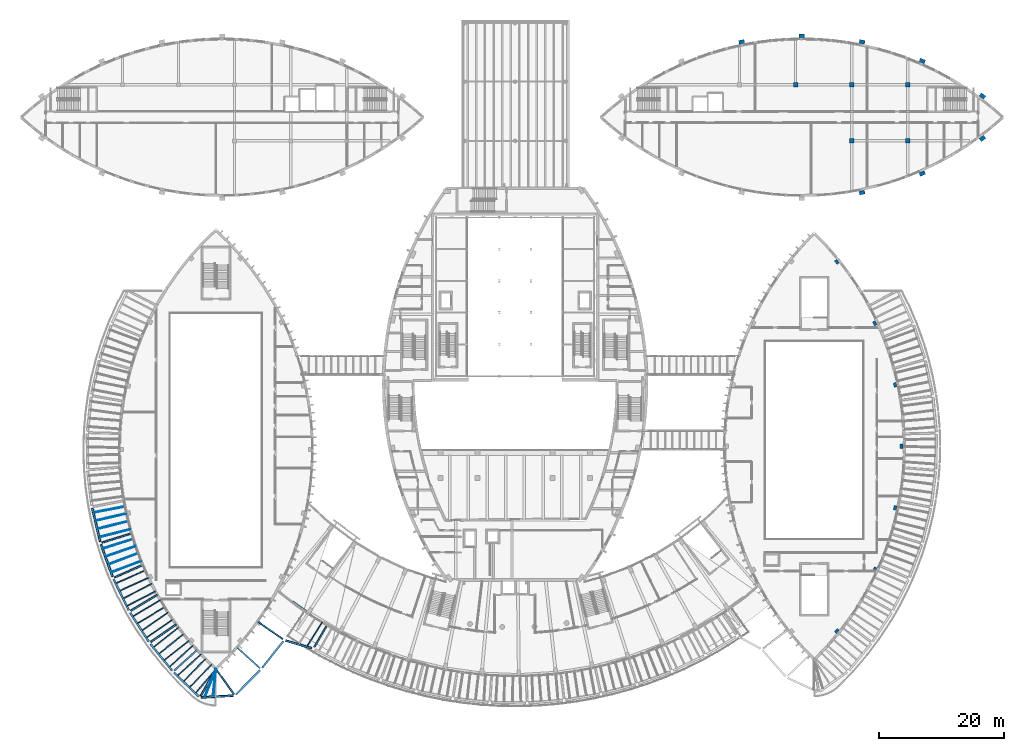
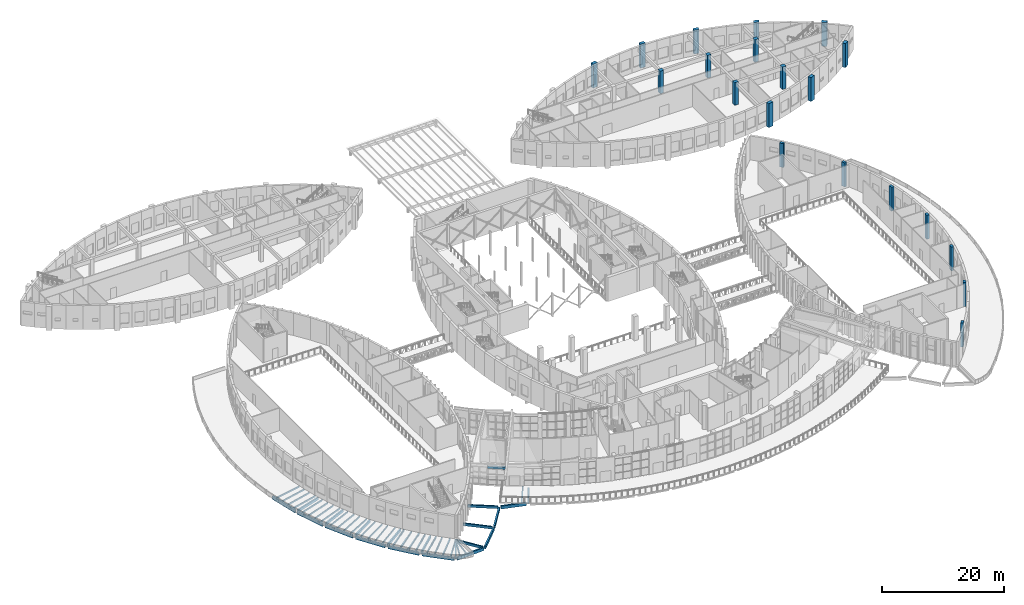
# One storey, part 7 of 93: 48 beams, 20 columns.
"""IFC4 building model written with IfcOpenShell, lengths in metres."""

from ifc_helpers import new_model, si_unit, direction, frame, origin, origin_2d, place, context, subcontext, project, spatial, rectangle, extrude, material, material_profile, profile_set, type_object, element, save


model = new_model("IFC4")

# Units and contexts
model_context = context("Model", 3, precision=1e-05, world=origin(), true_north=direction((0.0, 1.0)))
body_context = subcontext(model_context, "Body", "Model", "MODEL_VIEW")
ifc_project = project(units=[si_unit("LENGTHUNIT", "METRE"), si_unit("AREAUNIT", "SQUARE_METRE"), si_unit("VOLUMEUNIT", "CUBIC_METRE"), si_unit("PLANEANGLEUNIT", "RADIAN"), si_unit("MASSUNIT", "GRAM", prefix="KILO")], contexts=[model_context])

# Site, building, storey
site_placement = place(None, origin())
site = spatial("IfcSite", under=ifc_project, at=site_placement, CompositionType="ELEMENT")
building_placement = place(site_placement, origin())
building = spatial("IfcBuilding", under=site, at=building_placement, Name="Tide Square Theatres", CompositionType="ELEMENT")
storey_placement = place(building_placement, frame((0.0, 0.0, 5.39990234375)))
storey = spatial("IfcBuildingStorey", under=building, at=storey_placement, Name="L01", CompositionType="ELEMENT", Elevation=5.39990234375)

# Columns
ifc_material_1 = material(Name="Concrete C40", Category="concrete")
ifc_material_profile_1 = material_profile(ifc_material_1, rectangle(XDim=0.699951171875, YDim=0.699951171875, at=origin_2d()))
ifc_profile_set_1 = profile_set([ifc_material_profile_1], Name="Concrete C40")
column_type_1 = type_object("IfcColumnType", Name="RC column 700 x 700", PredefinedType="COLUMN", material=ifc_profile_set_1)
for number, where, z_axis, x_axis, name in (
    (1, (129.0, 103.0, 0.0), (0.0, 0.0, 1.0), (1.0, 0.0, 0.0), "Rehearsal Block frame column 2"),
    (2, (138.0, 94.0, 0.0), (0.0, 0.0, 1.0), (1.0, 0.0, 0.0), "Rehearsal Block frame column 3"),
    (3, (138.0, 103.0, 0.0), (0.0, 0.0, 1.0), (1.0, 0.0, 0.0), "Rehearsal Block frame column 4"),
    (4, (147.0, 94.0, 0.0), (0.0, 0.0, 1.0), (1.0, 0.0, 0.0), "Rehearsal Block frame column 5"),
    (5, (147.0, 103.0, 0.0), (0.0, 0.0, 1.0), (1.0, 0.0, 0.0), "Rehearsal Block frame column 6"),
):
    element("IfcColumn", number, at=place(storey_placement, frame(where, z_axis=z_axis, x_axis=x_axis)), inside=storey, type_object=column_type_1, Name=name, PredefinedType="COLUMN", context=body_context, shape_type="SweptSolid", body=[
        extrude(rectangle(XDim=0.699951171875, YDim=0.699951171875, at=origin_2d()), origin(), (0.0, 0.0, 1.0), 4.52001953125),
    ])
ifc_material_2 = material(Name="Concrete C40", Category="concrete")
ifc_material_profile_2 = material_profile(ifc_material_2, rectangle(XDim=0.699951171875, YDim=0.449951171875, at=origin_2d()))
ifc_profile_set_2 = profile_set([ifc_material_profile_2], Name="Concrete C40")
column_type_2 = type_object("IfcColumnType", Name="RC pier 700 x 450", PredefinedType="PILASTER", material=ifc_profile_set_2)
for number, where, z_axis, x_axis, name in (
    (6, (135.609375, 15.390869140625, 0.0), (0.0, 0.0, 1.0), (0.625818839057, 0.779968448517, 0.0), "Black Box Theatre wall pier"),
    (7, (141.694091796875, 25.261474609375, 0.0), (0.0, 0.0, 1.0), (0.419559661178, 0.907727762444, 0.0), "Black Box Theatre wall pier"),
    (8, (144.962646484375, 35.130615234375, 0.0), (0.0, 0.0, 1.0), (0.20956121082, 0.977795530221, 0.0), "Black Box Theatre wall pier"),
    (9, (146.001953125, 45.0, 0.0), (0.0, 0.0, 1.0), (0.0, 1.0, 0.0), "Black Box Theatre wall pier"),
    (10, (144.962646484375, 54.869384765625, 0.0), (0.0, 0.0, 1.0), (-0.20956121082, 0.977795530221, 0.0), "Black Box Theatre wall pier"),
    (11, (141.694091796875, 64.738525390625, 0.0), (0.0, 0.0, 1.0), (-0.419559661178, 0.907727762444, 0.0), "Black Box Theatre wall pier"),
    (12, (135.609375, 74.609130859375, 0.0), (0.0, 0.0, 1.0), (-0.625818839057, 0.779968448517, 0.0), "Black Box Theatre wall pier"),
):
    element("IfcColumn", number, at=place(storey_placement, frame(where, z_axis=z_axis, x_axis=x_axis)), inside=storey, type_object=column_type_2, Name=name, PredefinedType="PILASTER", context=body_context, shape_type="SweptSolid", body=[
        extrude(rectangle(XDim=0.699951171875, YDim=0.449951171875, at=origin_2d()), origin(), (0.0, 0.0, 1.0), 4.800048828125),
    ])
ifc_material_3 = material(Name="Concrete C40", Category="concrete")
ifc_material_profile_3 = material_profile(ifc_material_3, rectangle(XDim=0.89990234375, YDim=0.60009765625, at=origin_2d()))
ifc_profile_set_3 = profile_set([ifc_material_profile_3], Name="Concrete C40")
column_type_3 = type_object("IfcColumnType", Name="RC pier 900 x 600", PredefinedType="PILASTER", material=ifc_profile_set_3)
for number, where, z_axis, x_axis, name in (
    (13, (139.660400390625, 85.707275390625, 0.0), (0.0, 0.0, 1.0), (0.979575047818, 0.201078904144, 0.0), "Rehearsal Block rib pier 5"),
    (14, (149.321044921875, 88.76416015625, 0.0), (0.0, 0.0, 1.0), (0.915419314521, 0.402501526211, 0.0), "Rehearsal Block rib pier 6"),
    (15, (158.97900390625, 94.390625, 0.0), (0.0, 0.0, 1.0), (0.80192785119, 0.597420891403, 0.0), "Rehearsal Block rib pier 7"),
    (16, (120.339599609375, 109.892822265625, 0.0), (0.0, 0.0, 1.0), (-0.979575047818, -0.201078904144, 0.0), "Rehearsal Block rib pier 10"),
    (17, (130.0, 110.86865234375, 0.0), (0.0, 0.0, 1.0), (-1.0, 0.0, 0.0), "Rehearsal Block rib pier 11"),
    (18, (139.660400390625, 109.892822265625, 0.0), (0.0, 0.0, 1.0), (-0.979575047818, 0.201078904144, 0.0), "Rehearsal Block rib pier 12"),
    (19, (149.321044921875, 106.8359375, 0.0), (0.0, 0.0, 1.0), (-0.915419314521, 0.402501526211, 0.0), "Rehearsal Block rib pier 13"),
    (20, (158.97900390625, 101.20947265625, 0.0), (0.0, 0.0, 1.0), (-0.80192785119, 0.597420891403, 0.0), "Rehearsal Block rib pier 14"),
):
    element("IfcColumn", number, at=place(storey_placement, frame(where, z_axis=z_axis, x_axis=x_axis)), inside=storey, type_object=column_type_3, Name=name, PredefinedType="PILASTER", context=body_context, shape_type="SweptSolid", body=[
        extrude(rectangle(XDim=0.89990234375, YDim=0.60009765625, at=origin_2d()), origin(), (0.0, 0.0, 1.0), 4.800048828125),
    ])

# Beams
ifc_material_4 = material(Name="Concrete C35", Category="concrete")
ifc_material_profile_4 = material_profile(ifc_material_4, rectangle(XDim=0.14990234375, YDim=0.300048828125, at=origin_2d()))
ifc_profile_set_4 = profile_set([ifc_material_profile_4], Name="Concrete C35")
beam_type_1 = type_object("IfcBeamType", Name="RC arcade roof rib 150 x 300", PredefinedType="JOIST", material=ifc_profile_set_4)
beam_1_placement = place(storey_placement, frame((16.4892578125, 34.399658203125, -0.349853515625), z_axis=(0.98203319712, 0.188708239764, 0.0), x_axis=(-0.188708239764, 0.98203319712, 0.0)))
element("IfcBeam", 21, at=beam_1_placement, inside=storey, type_object=beam_type_1, Name="Arcade roof rib", PredefinedType="JOIST", context=body_context, shape_type="SweptSolid", body=[
    extrude(rectangle(XDim=0.14990234375, YDim=0.300048828125, at=origin_2d()), origin(), (0.0, 0.0, 1.0), 5.0107421875),
])
beam_2_placement = place(storey_placement, frame((16.79736328125, 33.091064453125, -0.349853515625), z_axis=(0.974207476829, 0.225654142642, 0.0), x_axis=(-0.225654142642, 0.974207476829, 0.0)))
element("IfcBeam", 22, at=beam_2_placement, inside=storey, type_object=beam_type_1, Name="Arcade roof rib", PredefinedType="JOIST", context=body_context, shape_type="SweptSolid", body=[
    extrude(rectangle(XDim=0.14990234375, YDim=0.300048828125, at=origin_2d()), origin(), (0.0, 0.0, 1.0), 4.95849609375),
])
beam_3_placement = place(storey_placement, frame((17.10595703125, 31.779541015625, -0.349853515625), z_axis=(0.970024080315, 0.24300881385, 0.0), x_axis=(-0.24300881385, 0.970024080315, 0.0)))
element("IfcBeam", 23, at=beam_3_placement, inside=storey, type_object=beam_type_1, Name="Arcade roof rib", PredefinedType="JOIST", context=body_context, shape_type="SweptSolid", body=[
    extrude(rectangle(XDim=0.14990234375, YDim=0.300048828125, at=origin_2d()), origin(), (0.0, 0.0, 1.0), 4.97705078125),
])
beam_4_placement = place(storey_placement, frame((17.415283203125, 30.46533203125, -0.349853515625), z_axis=(0.970015900928, 0.243041461375, 0.0), x_axis=(-0.243041461375, 0.970015900928, 0.0)))
element("IfcBeam", 24, at=beam_4_placement, inside=storey, type_object=beam_type_1, Name="Arcade roof rib", PredefinedType="JOIST", context=body_context, shape_type="SweptSolid", body=[
    extrude(rectangle(XDim=0.14990234375, YDim=0.300048828125, at=origin_2d()), origin(), (0.0, 0.0, 1.0), 4.99658203125),
])
beam_5_placement = place(storey_placement, frame((17.9560546875, 28.634765625, -0.349853515625), z_axis=(0.954583955173, 0.297942062366, 0.0), x_axis=(-0.297942062366, 0.954583955173, 0.0)))
element("IfcBeam", 25, at=beam_5_placement, inside=storey, type_object=beam_type_1, Name="Arcade roof rib", PredefinedType="JOIST", context=body_context, shape_type="SweptSolid", body=[
    extrude(rectangle(XDim=0.14990234375, YDim=0.300048828125, at=origin_2d()), origin(), (0.0, 0.0, 1.0), 5.0107421875),
])
beam_6_placement = place(storey_placement, frame((18.4091796875, 27.3671875, -0.349853515625), z_axis=(0.946730110853, 0.322028100024, 0.0), x_axis=(-0.322028100024, 0.946730110853, 0.0)))
element("IfcBeam", 26, at=beam_6_placement, inside=storey, type_object=beam_type_1, Name="Arcade roof rib", PredefinedType="JOIST", context=body_context, shape_type="SweptSolid", body=[
    extrude(rectangle(XDim=0.14990234375, YDim=0.300048828125, at=origin_2d()), origin(), (0.0, 0.0, 1.0), 4.95751953125),
])
beam_7_placement = place(storey_placement, frame((18.862060546875, 26.100341796875, -0.349853515625), z_axis=(0.936044612585, 0.351881348256, 0.0), x_axis=(-0.351881348256, 0.936044612585, 0.0)))
element("IfcBeam", 27, at=beam_7_placement, inside=storey, type_object=beam_type_1, Name="Arcade roof rib", PredefinedType="JOIST", context=body_context, shape_type="SweptSolid", body=[
    extrude(rectangle(XDim=0.14990234375, YDim=0.300048828125, at=origin_2d()), origin(), (0.0, 0.0, 1.0), 4.976806640625),
])
beam_8_placement = place(storey_placement, frame((19.31640625, 24.8291015625, -0.349853515625), z_axis=(0.936059950519, 0.351840544899, 0.0), x_axis=(-0.351840544899, 0.936059950519, 0.0)))
element("IfcBeam", 28, at=beam_8_placement, inside=storey, type_object=beam_type_1, Name="Arcade roof rib", PredefinedType="JOIST", context=body_context, shape_type="SweptSolid", body=[
    extrude(rectangle(XDim=0.14990234375, YDim=0.300048828125, at=origin_2d()), origin(), (0.0, 0.0, 1.0), 4.998779296875),
])
beam_9_placement = place(storey_placement, frame((20.058349609375, 23.069580078125, -0.349853515625), z_axis=(0.914464998443, 0.404665005435, 0.0), x_axis=(-0.404665005435, 0.914464998443, 0.0)))
element("IfcBeam", 29, at=beam_9_placement, inside=storey, type_object=beam_type_1, Name="Arcade roof rib", PredefinedType="JOIST", context=body_context, shape_type="SweptSolid", body=[
    extrude(rectangle(XDim=0.14990234375, YDim=0.300048828125, at=origin_2d()), origin(), (0.0, 0.0, 1.0), 5.013671875),
])
beam_10_placement = place(storey_placement, frame((20.650390625, 21.8583984375, -0.349853515625), z_axis=(0.909633855532, 0.415410939757, 0.0), x_axis=(-0.415410939757, 0.909633855532, 0.0)))
element("IfcBeam", 30, at=beam_10_placement, inside=storey, type_object=beam_type_1, Name="Arcade roof rib", PredefinedType="JOIST", context=body_context, shape_type="SweptSolid", body=[
    extrude(rectangle(XDim=0.14990234375, YDim=0.300048828125, at=origin_2d()), origin(), (0.0, 0.0, 1.0), 4.962646484375),
])
beam_11_placement = place(storey_placement, frame((21.239990234375, 20.652099609375, -0.349853515625), z_axis=(0.888254150545, 0.459352331049, 0.0), x_axis=(-0.459352331049, 0.888254150545, 0.0)))
element("IfcBeam", 31, at=beam_11_placement, inside=storey, type_object=beam_type_1, Name="Arcade roof rib", PredefinedType="JOIST", context=body_context, shape_type="SweptSolid", body=[
    extrude(rectangle(XDim=0.14990234375, YDim=0.300048828125, at=origin_2d()), origin(), (0.0, 0.0, 1.0), 4.987060546875),
])
beam_12_placement = place(storey_placement, frame((21.8330078125, 19.439453125, -0.349853515625), z_axis=(0.88827173098, 0.459318333993, 0.0), x_axis=(-0.459318333993, 0.88827173098, 0.0)))
element("IfcBeam", 32, at=beam_12_placement, inside=storey, type_object=beam_type_1, Name="Arcade roof rib", PredefinedType="JOIST", context=body_context, shape_type="SweptSolid", body=[
    extrude(rectangle(XDim=0.14990234375, YDim=0.300048828125, at=origin_2d()), origin(), (0.0, 0.0, 1.0), 5.01708984375),
])
beam_13_placement = place(storey_placement, frame((22.769287109375, 17.7763671875, -0.349853515625), z_axis=(0.856947633061, 0.515403486786, 0.0), x_axis=(-0.515403486786, 0.856947633061, 0.0)))
element("IfcBeam", 33, at=beam_13_placement, inside=storey, type_object=beam_type_1, Name="Arcade roof rib", PredefinedType="JOIST", context=body_context, shape_type="SweptSolid", body=[
    extrude(rectangle(XDim=0.14990234375, YDim=0.300048828125, at=origin_2d()), origin(), (0.0, 0.0, 1.0), 5.021484375),
])
beam_14_placement = place(storey_placement, frame((23.498779296875, 16.640380859375, -0.349853515625), z_axis=(0.856934639863, 0.515425089614, 0.0), x_axis=(-0.515425089614, 0.856934639863, 0.0)))
element("IfcBeam", 34, at=beam_14_placement, inside=storey, type_object=beam_type_1, Name="Arcade roof rib", PredefinedType="JOIST", context=body_context, shape_type="SweptSolid", body=[
    extrude(rectangle(XDim=0.14990234375, YDim=0.300048828125, at=origin_2d()), origin(), (0.0, 0.0, 1.0), 4.98193359375),
])
beam_15_placement = place(storey_placement, frame((24.223388671875, 15.5126953125, -0.349853515625), z_axis=(0.822078988464, 0.569373459801, 0.0), x_axis=(-0.569373459801, 0.822078988464, 0.0)))
element("IfcBeam", 35, at=beam_15_placement, inside=storey, type_object=beam_type_1, Name="Arcade roof rib", PredefinedType="JOIST", context=body_context, shape_type="SweptSolid", body=[
    extrude(rectangle(XDim=0.14990234375, YDim=0.300048828125, at=origin_2d()), origin(), (0.0, 0.0, 1.0), 4.9697265625),
])
beam_16_placement = place(storey_placement, frame((24.952880859375, 14.376953125, -0.349853515625), z_axis=(0.822088808643, 0.569359280862, 0.0), x_axis=(-0.569359280862, 0.822088808643, 0.0)))
element("IfcBeam", 36, at=beam_16_placement, inside=storey, type_object=beam_type_1, Name="Arcade roof rib", PredefinedType="JOIST", context=body_context, shape_type="SweptSolid", body=[
    extrude(rectangle(XDim=0.14990234375, YDim=0.300048828125, at=origin_2d()), origin(), (0.0, 0.0, 1.0), 5.0166015625),
])
beam_17_placement = place(storey_placement, frame((26.072509765625, 12.83203125, -0.349853515625), z_axis=(0.783816804802, 0.620992122744, 0.0), x_axis=(-0.620992122744, 0.783816804802, 0.0)))
element("IfcBeam", 37, at=beam_17_placement, inside=storey, type_object=beam_type_1, Name="Arcade roof rib", PredefinedType="JOIST", context=body_context, shape_type="SweptSolid", body=[
    extrude(rectangle(XDim=0.14990234375, YDim=0.300048828125, at=origin_2d()), origin(), (0.0, 0.0, 1.0), 4.99462890625),
])
beam_18_placement = place(storey_placement, frame((26.925048828125, 11.785400390625, -0.349853515625), z_axis=(0.783841842769, 0.620960518491, 0.0), x_axis=(-0.620960518491, 0.783841842769, 0.0)))
element("IfcBeam", 38, at=beam_18_placement, inside=storey, type_object=beam_type_1, Name="Arcade roof rib", PredefinedType="JOIST", context=body_context, shape_type="SweptSolid", body=[
    extrude(rectangle(XDim=0.14990234375, YDim=0.300048828125, at=origin_2d()), origin(), (0.0, 0.0, 1.0), 4.976318359375),
])
beam_19_placement = place(storey_placement, frame((27.777587890625, 10.738525390625, -0.349853515625), z_axis=(0.783824109477, 0.620982902665, 0.0), x_axis=(-0.620982902665, 0.783824109477, 0.0)))
element("IfcBeam", 39, at=beam_19_placement, inside=storey, type_object=beam_type_1, Name="Arcade roof rib", PredefinedType="JOIST", context=body_context, shape_type="SweptSolid", body=[
    extrude(rectangle(XDim=0.14990234375, YDim=0.300048828125, at=origin_2d()), origin(), (0.0, 0.0, 1.0), 4.9580078125),
])
beam_20_placement = place(storey_placement, frame((28.623779296875, 9.69921875, -0.349853515625), z_axis=(0.742054856606, 0.670339160267, 0.0), x_axis=(-0.670339160267, 0.742054856606, 0.0)))
element("IfcBeam", 40, at=beam_20_placement, inside=storey, type_object=beam_type_1, Name="Arcade roof rib", PredefinedType="JOIST", context=body_context, shape_type="SweptSolid", body=[
    extrude(rectangle(XDim=0.14990234375, YDim=0.300048828125, at=origin_2d()), origin(), (0.0, 0.0, 1.0), 5.0009765625),
])
beam_21_placement = place(storey_placement, frame((29.9189453125, 8.29248046875, -0.349853515625), z_axis=(0.742013801307, 0.670384605037, 0.0), x_axis=(-0.670384605037, 0.742013801307, 0.0)))
element("IfcBeam", 41, at=beam_21_placement, inside=storey, type_object=beam_type_1, Name="Arcade roof rib", PredefinedType="JOIST", context=body_context, shape_type="SweptSolid", body=[
    extrude(rectangle(XDim=0.14990234375, YDim=0.300048828125, at=origin_2d()), origin(), (0.0, 0.0, 1.0), 4.983154296875),
])
beam_22_placement = place(storey_placement, frame((30.88525390625, 7.364013671875, -0.349853515625), z_axis=(0.69679731371, 0.717268083499, 0.0), x_axis=(-0.717268083499, 0.69679731371, 0.0)))
element("IfcBeam", 42, at=beam_22_placement, inside=storey, type_object=beam_type_1, Name="Arcade roof rib", PredefinedType="JOIST", context=body_context, shape_type="SweptSolid", body=[
    extrude(rectangle(XDim=0.14990234375, YDim=0.300048828125, at=origin_2d()), origin(), (0.0, 0.0, 1.0), 4.9375),
])
beam_23_placement = place(storey_placement, frame((31.8583984375, 6.42822265625, -0.349853515625), z_axis=(0.696807520635, 0.717258167737, 0.0), x_axis=(-0.717258167737, 0.696807520635, 0.0)))
element("IfcBeam", 43, at=beam_23_placement, inside=storey, type_object=beam_type_1, Name="Arcade roof rib", PredefinedType="JOIST", context=body_context, shape_type="SweptSolid", body=[
    extrude(rectangle(XDim=0.14990234375, YDim=0.300048828125, at=origin_2d()), origin(), (0.0, 0.0, 1.0), 4.930419921875),
])
beam_24_placement = place(storey_placement, frame((32.82763671875, 5.49609375, -0.349853515625), z_axis=(0.642584167037, 0.766215105746, 0.0), x_axis=(-0.766215105746, 0.642584167037, 0.0)))
element("IfcBeam", 44, at=beam_24_placement, inside=storey, type_object=beam_type_1, Name="Arcade roof rib", PredefinedType="JOIST", context=body_context, shape_type="SweptSolid", body=[
    extrude(rectangle(XDim=0.14990234375, YDim=0.300048828125, at=origin_2d()), origin(), (0.0, 0.0, 1.0), 4.936767578125),
])
beam_25_placement = place(storey_placement, frame((34.260009765625, 4.903076171875, -0.349853515625), z_axis=(0.369503801817, 0.929229218461, 0.0), x_axis=(-0.929229218461, 0.369503801817, 0.0)))
element("IfcBeam", 45, at=beam_25_placement, inside=storey, type_object=beam_type_1, Name="Arcade roof rib", PredefinedType="JOIST", context=body_context, shape_type="SweptSolid", body=[
    extrude(rectangle(XDim=0.14990234375, YDim=0.300048828125, at=origin_2d()), origin(), (0.0, 0.0, 1.0), 4.708984375),
])
beam_26_placement = place(storey_placement, frame((35.565673828125, 4.98681640625, -0.349853515625), z_axis=(0.100680352004, 0.994918824186, 0.0), x_axis=(-0.994918824186, 0.100680352004, 0.0)))
element("IfcBeam", 46, at=beam_26_placement, inside=storey, type_object=beam_type_1, Name="Arcade roof rib", PredefinedType="JOIST", context=body_context, shape_type="SweptSolid", body=[
    extrude(rectangle(XDim=0.14990234375, YDim=0.300048828125, at=origin_2d()), origin(), (0.0, 0.0, 1.0), 4.31396484375),
])
beam_27_placement = place(storey_placement, frame((50.64892578125, 12.99462890625, -0.349853515625), z_axis=(0.535937438005, 0.844257699133, 0.0), x_axis=(-0.844257699133, 0.535937438005, 0.0)))
element("IfcBeam", 47, at=beam_27_placement, inside=storey, type_object=beam_type_1, Name="Arcade roof rib", PredefinedType="JOIST", context=body_context, shape_type="SweptSolid", body=[
    extrude(rectangle(XDim=0.14990234375, YDim=0.300048828125, at=origin_2d()), origin(), (0.0, 0.0, 1.0), 4.53173828125),
])
ifc_material_5 = material(Name="Concrete C35", Category="concrete")
ifc_material_profile_5 = material_profile(ifc_material_5, rectangle(XDim=0.25, YDim=0.5, at=origin_2d()))
ifc_profile_set_5 = profile_set([ifc_material_profile_5], Name="Concrete C35")
beam_type_2 = type_object("IfcBeamType", Name="RC beam 250 x 500", PredefinedType="BEAM", material=ifc_profile_set_5)
for number, where, z_axis, x_axis, name in (
    (48, (17.728271484375, 29.568603515625, -0.449951171875), (0.954579972734, 0.297954821499, 0.0), (-0.297954821499, 0.954579972734, 0.0), "Arcade slab beam"),
    (49, (19.727783203125, 23.973388671875, -0.449951171875), (0.914477432744, 0.404636905142, 0.0), (-0.404636905142, 0.914477432744, 0.0), "Arcade slab beam"),
    (50, (22.335693359375, 18.63623046875, -0.449951171875), (0.856948467282, 0.515402099747, 0.0), (-0.515402099747, 0.856948467282, 0.0), "Arcade slab beam"),
):
    element("IfcBeam", number, at=place(storey_placement, frame(where, z_axis=z_axis, x_axis=x_axis)), inside=storey, type_object=beam_type_2, Name=name, PredefinedType="BEAM", context=body_context, shape_type="SweptSolid", body=[
        extrude(rectangle(XDim=0.25, YDim=0.5, at=origin_2d()), origin(), (0.0, 0.0, 1.0), 4.949951171875),
    ])
beam_28_placement = place(storey_placement, frame((25.55419921875, 13.62548828125, -0.449951171875), z_axis=(0.822101631202, 0.569340766128, 0.0), x_axis=(-0.569340766128, 0.822101631202, 0.0)))
element("IfcBeam", 51, at=beam_28_placement, inside=storey, type_object=beam_type_2, Name="Arcade slab beam", PredefinedType="BEAM", context=body_context, shape_type="SweptSolid", body=[
    extrude(rectangle(XDim=0.25, YDim=0.5, at=origin_2d()), origin(), (0.0, 0.0, 1.0), 4.9501953125),
])
beam_29_placement = place(storey_placement, frame((29.30419921875, 9.02197265625, -0.449951171875), z_axis=(0.74202983029, 0.670366862964, 0.0), x_axis=(-0.670366862964, 0.74202983029, 0.0)))
element("IfcBeam", 52, at=beam_29_placement, inside=storey, type_object=beam_type_2, Name="Arcade slab beam", PredefinedType="BEAM", context=body_context, shape_type="SweptSolid", body=[
    extrude(rectangle(XDim=0.25, YDim=0.5, at=origin_2d()), origin(), (0.0, 0.0, 1.0), 4.949951171875),
])
beam_30_placement = place(storey_placement, frame((33.5390625, 4.940185546875, -0.449951171875), z_axis=(0.493374374759, 0.869817064865, 0.0), x_axis=(-0.869817064865, 0.493374374759, 0.0)))
element("IfcBeam", 53, at=beam_30_placement, inside=storey, type_object=beam_type_2, Name="Arcade slab beam", PredefinedType="BEAM", context=body_context, shape_type="SweptSolid", body=[
    extrude(rectangle(XDim=0.25, YDim=0.5, at=origin_2d()), origin(), (0.0, 0.0, 1.0), 4.988037109375),
])
beam_31_placement = place(storey_placement, frame((38.88623046875, 5.22900390625, -0.449951171875), z_axis=(-0.580374099811, 0.814349988806, 0.0), x_axis=(-0.814349988806, -0.580374099811, 0.0)))
element("IfcBeam", 54, at=beam_31_placement, inside=storey, type_object=beam_type_2, Name="Arcade slab beam", PredefinedType="BEAM", context=body_context, shape_type="SweptSolid", body=[
    extrude(rectangle(XDim=0.25, YDim=0.5, at=origin_2d()), origin(), (0.0, 0.0, 1.0), 4.97314453125),
])
beam_32_placement = place(storey_placement, frame((43.057861328125, 9.423095703125, -0.449951171875), z_axis=(-0.74203219984, 0.670364240097, 0.0), x_axis=(-0.670364240097, -0.74203219984, 0.0)))
element("IfcBeam", 55, at=beam_32_placement, inside=storey, type_object=beam_type_2, Name="Arcade slab beam", PredefinedType="BEAM", context=body_context, shape_type="SweptSolid", body=[
    extrude(rectangle(XDim=0.25, YDim=0.5, at=origin_2d()), origin(), (0.0, 0.0, 1.0), 4.94970703125),
])
beam_33_placement = place(storey_placement, frame((46.75341796875, 14.06982421875, -0.449951171875), z_axis=(-0.822085643467, 0.569363850983, 0.0), x_axis=(-0.569363850983, -0.822085643467, 0.0)))
element("IfcBeam", 56, at=beam_33_placement, inside=storey, type_object=beam_type_2, Name="Arcade slab beam", PredefinedType="BEAM", context=body_context, shape_type="SweptSolid", body=[
    extrude(rectangle(XDim=0.25, YDim=0.5, at=origin_2d()), origin(), (0.0, 0.0, 1.0), 4.949951171875),
])
beam_34_placement = place(storey_placement, frame((51.786865234375, 12.813720703125, -0.449951171875), z_axis=(0.504074734827, 0.863660038272, 0.0), x_axis=(-0.863660038272, 0.504074734827, 0.0)))
element("IfcBeam", 57, at=beam_34_placement, inside=storey, type_object=beam_type_2, Name="Arcade slab beam", PredefinedType="BEAM", context=body_context, shape_type="SweptSolid", body=[
    extrude(rectangle(XDim=0.25, YDim=0.5, at=origin_2d()), origin(), (0.0, 0.0, 1.0), 3.800048828125),
])
ifc_material_6 = material(Name="Concrete C35", Category="concrete")
ifc_material_profile_6 = material_profile(ifc_material_6, rectangle(XDim=0.300048828125, YDim=0.60009765625, at=origin_2d()))
ifc_profile_set_6 = profile_set([ifc_material_profile_6], Name="Concrete C35")
beam_type_3 = type_object("IfcBeamType", Name="RC beam 300 x 600", PredefinedType="BEAM", material=ifc_profile_set_6)
for number, where, z_axis, x_axis, name in (
    (58, (16.179443359375, 35.0625, -0.5), (0.229039333726, -0.973417168334, 0.0), (0.973417168334, 0.229039333726, 0.0), "Colonnade beam"),
    (59, (17.57373046875, 29.2587890625, -0.5), (0.336585171805, -0.941653026396, 0.0), (0.941653026396, 0.336585171805, 0.0), "Colonnade beam"),
):
    element("IfcBeam", number, at=place(storey_placement, frame(where, z_axis=z_axis, x_axis=x_axis)), inside=storey, type_object=beam_type_3, Name=name, PredefinedType="BEAM", context=body_context, shape_type="SweptSolid", body=[
        extrude(rectangle(XDim=0.300048828125, YDim=0.60009765625, at=origin_2d()), origin(), (0.0, 0.0, 1.0), 5.470458984375),
    ])
beam_35_placement = place(storey_placement, frame((19.609130859375, 23.6474609375, -0.5), z_axis=(0.439127697238, -0.898424657675, 0.0), x_axis=(0.898424657675, 0.439127697238, 0.0)))
element("IfcBeam", 60, at=beam_35_placement, inside=storey, type_object=beam_type_3, Name="Colonnade beam", PredefinedType="BEAM", context=body_context, shape_type="SweptSolid", body=[
    extrude(rectangle(XDim=0.300048828125, YDim=0.60009765625, at=origin_2d()), origin(), (0.0, 0.0, 1.0), 5.47119140625),
])
beam_36_placement = place(storey_placement, frame((22.256591796875, 18.297119140625, -0.5), z_axis=(0.540450845666, -0.841375589983, 0.0), x_axis=(0.841375589983, 0.540450845666, 0.0)))
element("IfcBeam", 61, at=beam_36_placement, inside=storey, type_object=beam_type_3, Name="Colonnade beam", PredefinedType="BEAM", context=body_context, shape_type="SweptSolid", body=[
    extrude(rectangle(XDim=0.300048828125, YDim=0.60009765625, at=origin_2d()), origin(), (0.0, 0.0, 1.0), 5.471435546875),
])
beam_37_placement = place(storey_placement, frame((25.506591796875, 13.289306640625, -0.5), z_axis=(0.631512987299, -0.775365298987, 0.0), x_axis=(0.775365298987, 0.631512987299, 0.0)))
element("IfcBeam", 62, at=beam_37_placement, inside=storey, type_object=beam_type_3, Name="Colonnade beam", PredefinedType="BEAM", context=body_context, shape_type="SweptSolid", body=[
    extrude(rectangle(XDim=0.300048828125, YDim=0.60009765625, at=origin_2d()), origin(), (0.0, 0.0, 1.0), 5.469970703125),
])
beam_38_placement = place(storey_placement, frame((29.299072265625, 8.68115234375, -0.5), z_axis=(0.72082962866, -0.693112289925, 0.0), x_axis=(0.693112289925, 0.72082962866, 0.0)))
element("IfcBeam", 63, at=beam_38_placement, inside=storey, type_object=beam_type_3, Name="Colonnade beam", PredefinedType="BEAM", context=body_context, shape_type="SweptSolid", body=[
    extrude(rectangle(XDim=0.300048828125, YDim=0.60009765625, at=origin_2d()), origin(), (0.0, 0.0, 1.0), 5.461181640625),
])
beam_39_placement = place(storey_placement, frame((33.665283203125, 4.736083984375, -0.5), z_axis=(0.998549482621, 0.05384171949, 0.0), x_axis=(-0.05384171949, 0.998549482621, 0.0)))
element("IfcBeam", 64, at=beam_39_placement, inside=storey, type_object=beam_type_3, Name="Colonnade beam", PredefinedType="BEAM", context=body_context, shape_type="SweptSolid", body=[
    extrude(rectangle(XDim=0.300048828125, YDim=0.60009765625, at=origin_2d()), origin(), (0.0, 0.0, 1.0), 5.123779296875),
])
for number, where, z_axis, x_axis, name in (
    (65, (39.207763671875, 5.20263671875, -0.5), (0.705609791049, 0.708600608788, 0.0), (-0.708600608788, 0.705609791049, 0.0), "Colonnade beam"),
    (66, (43.39892578125, 9.451171875, -0.5), (0.62244962091, 0.782659868288, 0.0), (-0.782659868288, 0.62244962091, 0.0), "Colonnade beam"),
):
    element("IfcBeam", number, at=place(storey_placement, frame(where, z_axis=z_axis, x_axis=x_axis)), inside=storey, type_object=beam_type_3, Name=name, PredefinedType="BEAM", context=body_context, shape_type="SweptSolid", body=[
        extrude(rectangle(XDim=0.300048828125, YDim=0.60009765625, at=origin_2d()), origin(), (0.0, 0.0, 1.0), 5.46923828125),
    ])
beam_40_placement = place(storey_placement, frame((47.19873046875, 13.857177734375, -0.5), z_axis=(0.959506535252, -0.281686366033, 0.0), x_axis=(0.281686366033, 0.959506535252, 0.0)))
element("IfcBeam", 67, at=beam_40_placement, inside=storey, type_object=beam_type_3, Name="Colonnade beam", PredefinedType="BEAM", context=body_context, shape_type="SweptSolid", body=[
    extrude(rectangle(XDim=0.300048828125, YDim=0.60009765625, at=origin_2d()), origin(), (0.0, 0.0, 1.0), 4.323974609375),
])
ifc_material_7 = material(Name="Concrete C35", Category="concrete")
ifc_material_profile_7 = material_profile(ifc_material_7, rectangle(XDim=0.35009765625, YDim=0.39990234375, at=origin_2d()))
ifc_profile_set_7 = profile_set([ifc_material_profile_7], Name="Concrete C35")
beam_type_4 = type_object("IfcBeamType", Name="RC beam 350 x 400", PredefinedType="BEAM", material=ifc_profile_set_7)
beam_41_placement = place(storey_placement, frame((48.277099609375, 20.09228515625, 3.434814453125), z_axis=(0.816439064521, -0.577431601078, 0.0), x_axis=(0.577431601078, 0.816439064521, 0.0)))
element("IfcBeam", 68, at=beam_41_placement, inside=storey, type_object=beam_type_4, Name="Foyer fascia head beam", PredefinedType="BEAM", context=body_context, shape_type="SweptSolid", body=[
    extrude(rectangle(XDim=0.35009765625, YDim=0.39990234375, at=origin_2d()), origin(), (0.0, 0.0, 1.0), 2.99609375),
])

save(model, "model.ifc")
